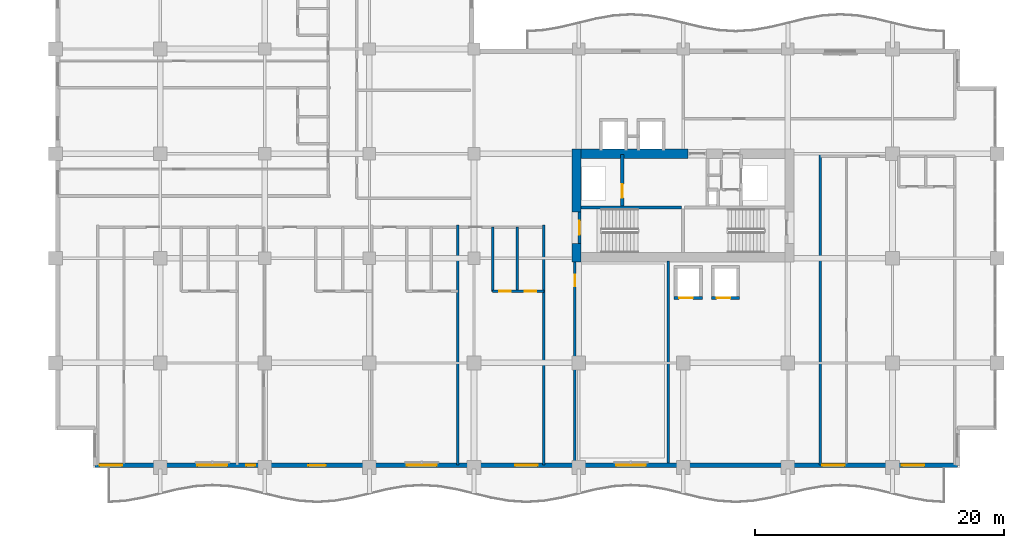
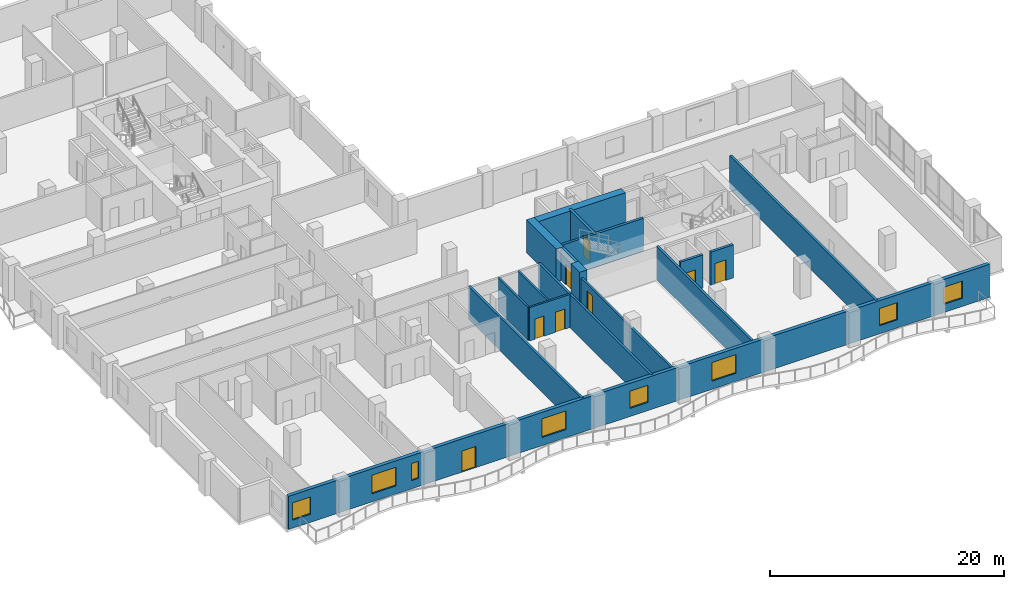
# One storey, part 11 of 22: 17 walls, 8 doors, 8 windows, 16 openings.
"""IFC4 building model written with IfcOpenShell, lengths in metres."""

import ifcopenshell
import ifcopenshell.guid

model = None  # the IFC model being written
_history = None  # IfcOwnerHistory: only IFC2X3 demands one
_inside = {}  # id of a spatial element -> (the spatial element, [elements in it])
_under = {}  # id of a project, library or spatial element -> (it, [spatial elements below it])
_declared = {}  # id of a project -> (the project, [libraries it declares])
_typed = {}  # id of a type object -> (the type object, [elements of that type])
_made_of = {}  # id of a material, layer set ... -> (it, [elements and type objects made of it])


def new_model(schema):
    """Start an empty IFC model of exactly this schema.

    Asked for "IFC4X3", IfcOpenShell would pick the latest addendum, in which some entities
    have other attributes; the version numbers below select the first issue.
    IFC2X3 requires an IfcOwnerHistory on every rooted entity: one is made here for all.
    """
    global model, _history
    if schema == "IFC4X3":
        model = ifcopenshell.file(schema_version=(4, 3, 0, 0))
    else:
        model = ifcopenshell.file(schema=schema)
    _inside.clear()
    _under.clear()
    _declared.clear()
    _typed.clear()
    _made_of.clear()
    _history = None
    if model.schema == "IFC2X3":
        org = make("IfcOrganization", Name="unknown")
        user = make(
            "IfcPersonAndOrganization",
            ThePerson=make("IfcPerson", FamilyName="unknown"),
            TheOrganization=org,
        )
        app = make(
            "IfcApplication",
            ApplicationDeveloper=org,
            Version="unknown",
            ApplicationFullName="unknown",
            ApplicationIdentifier="unknown",
        )
        _history = make(
            "IfcOwnerHistory",
            OwningUser=user,
            OwningApplication=app,
            ChangeAction="ADDED",
            CreationDate=0,
        )
    return model


def make(cls, **values):
    """One entity of the class cls with the attributes given. An attribute that is None is left unset."""
    return model.create_entity(
        cls, **{name: value for name, value in values.items() if value is not None}
    )


def rooted(cls, **values):
    """An entity with a GlobalId (a new one), such as an element, a storey or a relation."""
    return make(cls, GlobalId=ifcopenshell.guid.new(), OwnerHistory=_history, **values)


def si_unit(unit_type, name, prefix=None):
    """IfcSIUnit, for example si_unit("LENGTHUNIT", "METRE", prefix="MILLI")."""
    return make("IfcSIUnit", UnitType=unit_type, Prefix=prefix, Name=name)


def assignment(units):
    """IfcUnitAssignment: the units of a project."""
    return None if units is None else make("IfcUnitAssignment", Units=units)


def point(xyz):
    """IfcCartesianPoint."""
    return None if xyz is None else make("IfcCartesianPoint", Coordinates=xyz)


def direction(xyz):
    """IfcDirection."""
    return None if xyz is None else make("IfcDirection", DirectionRatios=xyz)


def frame(location, z_axis=None, x_axis=None):
    """IfcAxis2Placement3D, a coordinate frame: its origin and axes. An axis left out is left unset."""
    return make(
        "IfcAxis2Placement3D",
        Location=point(location),
        Axis=direction(z_axis),
        RefDirection=direction(x_axis),
    )


def frame_2d(location, x_axis=None):
    """IfcAxis2Placement2D, a coordinate frame in the plane: its origin and x axis."""
    return make(
        "IfcAxis2Placement2D", Location=point(location), RefDirection=direction(x_axis)
    )


def origin():
    """The frame at (0, 0, 0) with its axes left unset."""
    return frame((0.0, 0.0, 0.0))


def place(relative_to, where):
    """IfcLocalPlacement: puts the frame where relative to a parent placement (None: the world)."""
    return make(
        "IfcLocalPlacement", PlacementRelTo=relative_to, RelativePlacement=where
    )


def context(
    kind, dimensions, precision=None, world=None, true_north=None, identifier=None
):
    """IfcGeometricRepresentationContext, for example the 3D "Model" context."""
    return make(
        "IfcGeometricRepresentationContext",
        ContextIdentifier=identifier,
        ContextType=kind,
        CoordinateSpaceDimension=dimensions,
        Precision=precision,
        WorldCoordinateSystem=world,
        TrueNorth=true_north,
    )


def subcontext(parent, identifier, kind, view, scale=None):
    """IfcGeometricRepresentationSubContext, for example "Body" below "Model"."""
    return make(
        "IfcGeometricRepresentationSubContext",
        ContextIdentifier=identifier,
        ContextType=kind,
        ParentContext=parent,
        TargetScale=scale,
        TargetView=view,
    )


def project(units=None, contexts=None):
    """IfcProject with its units and contexts."""
    return rooted(
        "IfcProject",
        Name="project",
        RepresentationContexts=contexts,
        UnitsInContext=assignment(units),
    )


def spatial(cls, under=None, at=None, **own):
    """A site, building, storey or space (cls), placed at a placement, below another one or the project."""
    s = rooted(cls, ObjectPlacement=at, **own)
    if under is not None:
        _under.setdefault(under.id(), (under, []))[1].append(s)
    return s


def profile(cls, at=None, kind="AREA", **sizes):
    """A parametric profile (cls). Its sizes go by their IFC names, for example OverallWidth=200.0."""
    return make(cls, ProfileType=kind, Position=at, **sizes)


def rectangle(**sizes):
    """IfcRectangleProfileDef."""
    return profile("IfcRectangleProfileDef", **sizes)


def extrude(swept, where, along, depth):
    """IfcExtrudedAreaSolid: the profile swept, set in the frame where, extruded along a direction by depth."""
    return make(
        "IfcExtrudedAreaSolid",
        SweptArea=swept,
        Position=where,
        ExtrudedDirection=direction(along),
        Depth=depth,
    )


def shape(context_of_items, identifier, shape_type, items):
    """IfcShapeRepresentation: the items that make up one representation, for example the "Body"."""
    return make(
        "IfcShapeRepresentation",
        ContextOfItems=context_of_items,
        RepresentationIdentifier=identifier,
        RepresentationType=shape_type,
        Items=items,
    )


def material(Name=None, Category=None):
    """IfcMaterial."""
    return make("IfcMaterial", Name=Name, Category=Category)


def layer(
    of_material, thickness, ventilated=None, Name=None, Category=None, Priority=None
):
    """IfcMaterialLayer: one layer of a wall or slab, of a material (None: an air gap)."""
    return make(
        "IfcMaterialLayer",
        Material=of_material,
        LayerThickness=thickness,
        IsVentilated=ventilated,
        Name=Name,
        Category=Category,
        Priority=Priority,
    )


def layer_set(layers, Name=None):
    """IfcMaterialLayerSet."""
    return make("IfcMaterialLayerSet", MaterialLayers=layers, LayerSetName=Name)


def made_of(thing, what):
    """Note that an element or type object is made of a material, layer set ...; save() writes the relation."""
    if what is not None:
        _made_of.setdefault(what.id(), (what, []))[1].append(thing)
    return thing


def type_object(cls, material=None, **own):
    """A type object (cls), such as IfcWallType, which elements share."""
    return made_of(rooted(cls, **own), material)


def element(
    cls,
    number,
    at=None,
    inside=None,
    cuts=None,
    type_object=None,
    material=None,
    context=None,
    identifier="Body",
    shape_type=None,
    held_by="IfcProductDefinitionShape",
    body=None,
    shapes=None,
    **own,
):
    """One element of the class cls, such as IfcWall. Its Tag is "e" and its number.

    at: its placement. inside: the storey or other place that contains it. cuts: it is an
    opening in that element (IfcRelVoidsElement). A single representation is given by context,
    identifier, shape_type and body (its items); several are given by shapes. held_by: the class
    of the entity that holds the representations. save() writes the other relations.
    """
    e = rooted(cls, Tag="e%d" % number, ObjectPlacement=at, **own)
    if body is not None:
        shapes = [shape(context, identifier, shape_type, body)]
    if shapes is not None:
        e.Representation = make(held_by, Representations=shapes)
    if inside is not None:
        _inside.setdefault(inside.id(), (inside, []))[1].append(e)
    if cuts is not None:
        rooted(
            "IfcRelVoidsElement", RelatingBuildingElement=cuts, RelatedOpeningElement=e
        )
    if type_object is not None:
        _typed.setdefault(type_object.id(), (type_object, []))[1].append(e)
    return made_of(e, material)


def fill(opening, filler):
    """IfcRelFillsElement: the door or window that sits in an opening."""
    return rooted(
        "IfcRelFillsElement",
        RelatingOpeningElement=opening,
        RelatedBuildingElement=filler,
    )


def aggregate(whole, parts):
    """IfcRelAggregates: a whole, such as a stair, and the parts it consists of."""
    return rooted("IfcRelAggregates", RelatingObject=whole, RelatedObjects=parts)


def save(model, path):
    """Write the relations noted so far, then the file.

    IfcRelAggregates (storeys below a building ...), IfcRelContainedInSpatialStructure (elements
    in a storey), IfcRelDefinesByType, IfcRelAssociatesMaterial and IfcRelDeclares: one each for
    every whole, place, type object, material and project.
    """
    for whole, parts in _under.values():
        aggregate(whole, parts)
    for where, things in _inside.values():
        rooted(
            "IfcRelContainedInSpatialStructure",
            RelatedElements=things,
            RelatingStructure=where,
        )
    for kind, things in _typed.values():
        rooted("IfcRelDefinesByType", RelatedObjects=things, RelatingType=kind)
    for what, things in _made_of.values():
        rooted("IfcRelAssociatesMaterial", RelatedObjects=things, RelatingMaterial=what)
    for by, libraries in _declared.values():
        rooted("IfcRelDeclares", RelatingContext=by, RelatedDefinitions=libraries)
    model.write(path)


model = new_model("IFC4")

# Units and contexts
model_context = context("Model", 3, precision=1e-05, world=origin(), true_north=direction((0.0, 1.0)))
body_context = subcontext(model_context, "Body", "Model", "MODEL_VIEW")
ifc_project = project(units=[si_unit("LENGTHUNIT", "METRE"), si_unit("AREAUNIT", "SQUARE_METRE"), si_unit("VOLUMEUNIT", "CUBIC_METRE"), si_unit("PLANEANGLEUNIT", "RADIAN"), si_unit("MASSUNIT", "GRAM", prefix="KILO")], contexts=[model_context])

# Site, building, storey
site_placement = place(None, origin())
site = spatial("IfcSite", under=ifc_project, at=site_placement, CompositionType="ELEMENT")
building_placement = place(site_placement, origin())
building = spatial("IfcBuilding", under=site, at=building_placement, Name="Koriwani Terraces Tower", CompositionType="ELEMENT")
storey_placement = place(building_placement, frame((0.0, 0.0, 182.800048828125)))
storey = spatial("IfcBuildingStorey", under=building, at=storey_placement, Name="L44", CompositionType="ELEMENT", Elevation=182.800048828125)

# Walls
ifc_material_1 = material(Name="Concrete C60/75", Category="concrete")
ifc_layer_1 = layer(ifc_material_1, 0.75, Name="Concrete C60/75")
ifc_layer_set_1 = layer_set([ifc_layer_1], Name="Concrete C60/75")
wall_type_1 = type_object("IfcWallType", Name="WALL_CORE_RC_750", PredefinedType="SHEAR", material=ifc_layer_set_1)
wall_1_placement = place(storey_placement, frame((41.824951171875, 16.5, 0.0), z_axis=(0.0, 0.0, 1.0), x_axis=(0.0, 1.0, 0.0)))
element("IfcWall", 1, at=wall_1_placement, inside=storey, type_object=wall_type_1, Name="L44 East Split Core Shear Wall W1", PredefinedType="SHEAR", context=body_context, shape_type="SweptSolid", body=[
    extrude(rectangle(XDim=1.5, YDim=0.75, at=frame_2d((0.75, 0.0))), origin(), (0.0, 0.0, 1.0), 3.469970703125),
])
wall_2_placement = place(storey_placement, frame((41.824951171875, 20.5, 0.0), z_axis=(0.0, 0.0, 1.0), x_axis=(0.0, 1.0, 0.0)))
element("IfcWall", 2, at=wall_2_placement, inside=storey, type_object=wall_type_1, Name="L44 East Split Core Shear Wall W2", PredefinedType="SHEAR", context=body_context, shape_type="SweptSolid", body=[
    extrude(rectangle(XDim=5.074951171875, YDim=0.75, at=frame_2d((2.53759765625, 0.0))), origin(), (0.0, 0.0, 1.0), 3.469970703125),
])
wall_3_placement = place(storey_placement, frame((42.199951171875, 25.199951171875, 0.0), z_axis=(0.0, 0.0, 1.0), x_axis=(1.0, 0.0, 0.0)))
element("IfcWall", 3, at=wall_3_placement, inside=storey, type_object=wall_type_1, Name="L44 East Split Core Shear Wall N1", PredefinedType="SHEAR", context=body_context, shape_type="SweptSolid", body=[
    extrude(rectangle(XDim=8.60009765625, YDim=0.75, at=frame_2d((4.300048828125, 0.0))), origin(), (0.0, 0.0, 1.0), 3.469970703125),
])

# Wall, opening, door
ifc_material_2 = material(Name="Autoclaved Cellular Concrete Blockwork", Category="masonry")
ifc_layer_2 = layer(ifc_material_2, 0.199951171875, Name="Autoclaved Cellular Concrete Blockwork")
ifc_layer_set_2 = layer_set([ifc_layer_2], Name="Autoclaved Cellular Concrete Blockwork")
wall_type_2 = type_object("IfcWallType", Name="WALL_CORRIDOR_200", PredefinedType="PARTITIONING", material=ifc_layer_set_2)
wall_4_placement = place(storey_placement, frame((41.699951171875, 0.35009765625, 0.0), z_axis=(0.0, 0.0, 1.0), x_axis=(0.0, 1.0, 0.0)))
wall_4 = element("IfcWall", 4, at=wall_4_placement, inside=storey, type_object=wall_type_2, Name="L44 Interior Wall WREC-EW-L44", PredefinedType="PARTITIONING", context=body_context, shape_type="SweptSolid", body=[
    extrude(rectangle(XDim=16.25, YDim=0.199951171875, at=frame_2d((8.125, 0.0))), origin(), (0.0, 0.0, 1.0), 2.820068359375),
])
opening_1_placement = place(wall_4_placement, frame((14.199951171875, 0.0, 0.0)))
opening_1 = element("IfcOpeningElement", 5, at=opening_1_placement, cuts=wall_4, Name="Opening D-06", PredefinedType="OPENING", context=body_context, shape_type="SweptSolid", body=[
    extrude(rectangle(XDim=0.919921875, YDim=2.10009765625, at=frame_2d((0.4599609375, 1.050048828125))), frame((0.0, 0.10986328125, 0.0), z_axis=(0.0, -1.0, 0.0), x_axis=(1.0, 0.0, 0.0)), (0.0, 0.0, 1.0), 0.219970703125),
])
ifc_material_3 = material(Name="Architectural Oak Fire Door", Category="wood")
door_type_1 = type_object("IfcDoorType", Name="DOOR_ROOM_INT_920X2100", OperationType="NOTDEFINED", PredefinedType="DOOR", material=ifc_material_3)
door_1_placement = place(opening_1_placement, origin())
door_1 = element("IfcDoor", 6, at=door_1_placement, inside=storey, type_object=door_type_1, Name="L44 Resident Co-Working Study Door", OperationType="SINGLE_SWING_LEFT", OverallHeight=2.10009765625, OverallWidth=0.919921875, PredefinedType="DOOR", context=body_context, shape_type="SweptSolid", body=[
    extrude(rectangle(XDim=0.919921875, YDim=2.10009765625, at=frame_2d((0.4599609375, 1.050048828125))), frame((0.0, 0.02490234375, 0.0), z_axis=(0.0, -1.0, 0.0), x_axis=(1.0, 0.0, 0.0)), (0.0, 0.0, 1.0), 0.050048828125),
])
fill(opening_1, door_1)

# Walls
ifc_layer_3 = layer(ifc_material_2, 0.219970703125, Name="Autoclaved Cellular Concrete Blockwork")
ifc_layer_set_3 = layer_set([ifc_layer_3], Name="Autoclaved Cellular Concrete Blockwork")
wall_type_3 = type_object("IfcWallType", Name="WALL_DEMISING_220", PredefinedType="PARTITIONING", material=ifc_layer_set_3)
wall_5_placement = place(storey_placement, frame((49.199951171875, 0.35009765625, 0.0), z_axis=(0.0, 0.0, 1.0), x_axis=(0.0, 1.0, 0.0)))
element("IfcWall", 7, at=wall_5_placement, inside=storey, type_object=wall_type_3, Name="L44 Interior Wall WREC-EE-L44", PredefinedType="PARTITIONING", context=body_context, shape_type="SweptSolid", body=[
    extrude(rectangle(XDim=16.25, YDim=0.219970703125, at=frame_2d((8.125, 0.0))), origin(), (0.0, 0.0, 1.0), 3.469970703125),
])
for number, where, z_axis, x_axis, name in (
    (8, (32.300048828125, 0.199951171875, 0.0), (0.0, 0.0, 1.0), (0.0, 1.0, 0.0), "L44 Interior Wall WRDEM-L44-SW-3"),
    (9, (39.199951171875, 0.199951171875, 0.0), (0.0, 0.0, 1.0), (0.0, 1.0, 0.0), "L44 Interior Wall WRDEME-L44-SW"),
):
    element("IfcWall", number, at=place(storey_placement, frame(where, z_axis=z_axis, x_axis=x_axis)), inside=storey, type_object=wall_type_3, Name=name, PredefinedType="PARTITIONING", context=body_context, shape_type="SweptSolid", body=[
        extrude(rectangle(XDim=19.280029296875, YDim=0.219970703125, at=frame_2d((9.64013671875, 0.0))), origin(), (0.0, 0.0, 1.0), 3.469970703125),
    ])
wall_6_placement = place(storey_placement, frame((61.39990234375, 0.199951171875, 0.0), z_axis=(0.0, 0.0, 1.0), x_axis=(0.0, 1.0, 0.0)))
element("IfcWall", 10, at=wall_6_placement, inside=storey, type_object=wall_type_3, Name="L44 Interior Wall WRDEM-L44-SE-0", PredefinedType="PARTITIONING", context=body_context, shape_type="SweptSolid", body=[
    extrude(rectangle(XDim=24.97998046875, YDim=0.219970703125, at=frame_2d((12.489990234375, 0.0))), origin(), (0.0, 0.0, 1.0), 3.469970703125),
])

# Wall, openings, door, windows
ifc_material_4 = material(Name="Concrete C50/60", Category="concrete")
ifc_layer_4 = layer(ifc_material_4, 0.35009765625, Name="Concrete C50/60")
ifc_layer_set_4 = layer_set([ifc_layer_4], Name="Concrete C50/60")
wall_type_4 = type_object("IfcWallType", Name="WALL_EXT_BRUTALIST_350", PredefinedType="STANDARD", material=ifc_layer_set_4)
wall_7_placement = place(storey_placement, frame((72.425048828125, 0.175048828125, 0.0), z_axis=(0.0, 0.0, 1.0), x_axis=(-1.0, 0.0, 0.0)))
wall_7 = element("IfcWall", 11, at=wall_7_placement, inside=storey, type_object=wall_type_4, Name="L44 Fair-Faced Brutalist Exterior Wall (S)", PredefinedType="STANDARD", context=body_context, shape_type="SweptSolid", body=[
    extrude(rectangle(XDim=69.25, YDim=0.35009765625, at=frame_2d((34.625, 0.0))), origin(), (0.0, 0.0, 1.0), 3.469970703125),
])
opening_2_placement = place(wall_7_placement, frame((50.72509765625, 0.0, 0.0)))
opening_2 = element("IfcOpeningElement", 12, at=opening_2_placement, cuts=wall_7, Name="Opening D-09", PredefinedType="OPENING", context=body_context, shape_type="SweptSolid", body=[
    extrude(rectangle(XDim=1.39990234375, YDim=2.199951171875, at=frame_2d((0.699951171875, 1.10009765625))), frame((0.0, 0.18505859375, 0.0), z_axis=(0.0, -1.0, 0.0), x_axis=(1.0, 0.0, 0.0)), (0.0, 0.0, 1.0), 0.3701171875),
])
opening_3_placement = place(wall_7_placement, frame((58.625, 0.0, 0.85009765625)))
opening_3 = element("IfcOpeningElement", 13, at=opening_3_placement, cuts=wall_7, Name="Opening W-03", PredefinedType="OPENING", context=body_context, shape_type="SweptSolid", body=[
    extrude(rectangle(XDim=2.39990234375, YDim=1.949951171875, at=frame_2d((1.199951171875, 0.97509765625))), frame((0.0, 0.18505859375, 0.0), z_axis=(0.0, -1.0, 0.0), x_axis=(1.0, 0.0, 0.0)), (0.0, 0.0, 1.0), 0.3701171875),
])
opening_4_placement = place(wall_7_placement, frame((41.824951171875, 0.0, 0.85009765625)))
opening_4 = element("IfcOpeningElement", 14, at=opening_4_placement, cuts=wall_7, Name="Opening W-03", PredefinedType="OPENING", context=body_context, shape_type="SweptSolid", body=[
    extrude(rectangle(XDim=2.39990234375, YDim=1.949951171875, at=frame_2d((1.199951171875, 0.97509765625))), frame((0.0, 0.18505859375, 0.0), z_axis=(0.0, -1.0, 0.0), x_axis=(1.0, 0.0, 0.0)), (0.0, 0.0, 1.0), 0.3701171875),
])
opening_5_placement = place(wall_7_placement, frame((33.72509765625, 0.0, 0.85009765625)))
opening_5 = element("IfcOpeningElement", 15, at=opening_5_placement, cuts=wall_7, Name="Opening W-04", PredefinedType="OPENING", context=body_context, shape_type="SweptSolid", body=[
    extrude(rectangle(XDim=1.800048828125, YDim=1.800048828125, at=frame_2d((0.89990234375, 0.89990234375))), frame((0.0, 0.18505859375, 0.0), z_axis=(0.0, -1.0, 0.0), x_axis=(1.0, 0.0, 0.0)), (0.0, 0.0, 1.0), 0.3701171875),
])
opening_6_placement = place(wall_7_placement, frame((25.02490234375, 0.0, 0.85009765625)))
opening_6 = element("IfcOpeningElement", 16, at=opening_6_placement, cuts=wall_7, Name="Opening W-03", PredefinedType="OPENING", context=body_context, shape_type="SweptSolid", body=[
    extrude(rectangle(XDim=2.39990234375, YDim=1.949951171875, at=frame_2d((1.199951171875, 0.97509765625))), frame((0.0, 0.18505859375, 0.0), z_axis=(0.0, -1.0, 0.0), x_axis=(1.0, 0.0, 0.0)), (0.0, 0.0, 1.0), 0.3701171875),
])
opening_7_placement = place(wall_7_placement, frame((67.074951171875, 0.0, 0.85009765625)))
opening_7 = element("IfcOpeningElement", 17, at=opening_7_placement, cuts=wall_7, Name="Opening W-04", PredefinedType="OPENING", context=body_context, shape_type="SweptSolid", body=[
    extrude(rectangle(XDim=1.800048828125, YDim=1.800048828125, at=frame_2d((0.89990234375, 0.89990234375))), frame((0.0, 0.18505859375, 0.0), z_axis=(0.0, -1.0, 0.0), x_axis=(1.0, 0.0, 0.0)), (0.0, 0.0, 1.0), 0.3701171875),
])
opening_8_placement = place(wall_7_placement, frame((56.389892578125, 0.0, 0.85009765625)))
opening_8 = element("IfcOpeningElement", 18, at=opening_8_placement, cuts=wall_7, Name="Opening W-08", PredefinedType="OPENING", context=body_context, shape_type="SweptSolid", body=[
    extrude(rectangle(XDim=0.719970703125, YDim=1.800048828125, at=frame_2d((0.35986328125, 0.89990234375))), frame((0.0, 0.18505859375, 0.0), z_axis=(0.0, -1.0, 0.0), x_axis=(1.0, 0.0, 0.0)), (0.0, 0.0, 1.0), 0.3701171875),
])
opening_9_placement = place(wall_7_placement, frame((9.074951171875, 0.0, 0.85009765625)))
opening_9 = element("IfcOpeningElement", 19, at=opening_9_placement, cuts=wall_7, Name="Opening W-04", PredefinedType="OPENING", context=body_context, shape_type="SweptSolid", body=[
    extrude(rectangle(XDim=1.800048828125, YDim=1.800048828125, at=frame_2d((0.89990234375, 0.89990234375))), frame((0.0, 0.18505859375, 0.0), z_axis=(0.0, -1.0, 0.0), x_axis=(1.0, 0.0, 0.0)), (0.0, 0.0, 1.0), 0.3701171875),
])
opening_10_placement = place(wall_7_placement, frame((2.675048828125, 0.0, 0.85009765625)))
opening_10 = element("IfcOpeningElement", 20, at=opening_10_placement, cuts=wall_7, Name="Opening W-04", PredefinedType="OPENING", context=body_context, shape_type="SweptSolid", body=[
    extrude(rectangle(XDim=1.800048828125, YDim=1.800048828125, at=frame_2d((0.89990234375, 0.89990234375))), frame((0.0, 0.18505859375, 0.0), z_axis=(0.0, -1.0, 0.0), x_axis=(1.0, 0.0, 0.0)), (0.0, 0.0, 1.0), 0.3701171875),
])
ifc_material_5 = material(Name="Anodised Bronze Aluminium", Category="aluminium")
door_type_2 = type_object("IfcDoorType", Name="DOOR_BALCONY_GLAZED_1400X2200", OperationType="NOTDEFINED", PredefinedType="DOOR", material=ifc_material_5)
door_2_placement = place(opening_2_placement, origin())
door_2 = element("IfcDoor", 21, at=door_2_placement, inside=storey, type_object=door_type_2, Name="L44 South Balcony Glazed Door", OperationType="SINGLE_SWING_LEFT", OverallHeight=2.199951171875, OverallWidth=1.39990234375, PredefinedType="DOOR", context=body_context, shape_type="SweptSolid", body=[
    extrude(rectangle(XDim=1.39990234375, YDim=2.199951171875, at=frame_2d((0.699951171875, 1.10009765625))), frame((0.0, 0.02490234375, 0.0), z_axis=(0.0, -1.0, 0.0), x_axis=(1.0, 0.0, 0.0)), (0.0, 0.0, 1.0), 0.050048828125),
])
fill(opening_2, door_2)
ifc_material_6 = material(Name="Tempered Laminated Low-E Glass", Category="glass")
window_type_1 = type_object("IfcWindowType", Name="WIN_RES_BED_1800X1800", PartitioningType="DOUBLE_PANEL_VERTICAL", PredefinedType="WINDOW", material=ifc_material_6)
window_1_placement = place(opening_5_placement, origin())
window_1 = element("IfcWindow", 22, at=window_1_placement, inside=storey, type_object=window_type_1, Name="L44 Exterior Window (S-12)", OverallHeight=1.800048828125, OverallWidth=1.800048828125, PartitioningType="SINGLE_PANEL", PredefinedType="WINDOW", context=body_context, shape_type="SweptSolid", body=[
    extrude(rectangle(XDim=1.800048828125, YDim=1.800048828125, at=frame_2d((0.89990234375, 0.89990234375))), frame((0.0, 0.030029296875, 0.0), z_axis=(0.0, -1.0, 0.0), x_axis=(1.0, 0.0, 0.0)), (0.0, 0.0, 1.0), 0.06005859375),
])
fill(opening_5, window_1)
window_2_placement = place(opening_7_placement, origin())
window_2 = element("IfcWindow", 23, at=window_2_placement, inside=storey, type_object=window_type_1, Name="L44 Exterior Window (S-R34)", OverallHeight=1.800048828125, OverallWidth=1.800048828125, PartitioningType="SINGLE_PANEL", PredefinedType="WINDOW", context=body_context, shape_type="SweptSolid", body=[
    extrude(rectangle(XDim=1.800048828125, YDim=1.800048828125, at=frame_2d((0.89990234375, 0.89990234375))), frame((0.0, 0.030029296875, 0.0), z_axis=(0.0, -1.0, 0.0), x_axis=(1.0, 0.0, 0.0)), (0.0, 0.0, 1.0), 0.06005859375),
])
fill(opening_7, window_2)
window_3_placement = place(opening_9_placement, origin())
window_3 = element("IfcWindow", 24, at=window_3_placement, inside=storey, type_object=window_type_1, Name="L44 Exterior Window (S-R61)", OverallHeight=1.800048828125, OverallWidth=1.800048828125, PartitioningType="SINGLE_PANEL", PredefinedType="WINDOW", context=body_context, shape_type="SweptSolid", body=[
    extrude(rectangle(XDim=1.800048828125, YDim=1.800048828125, at=frame_2d((0.89990234375, 0.89990234375))), frame((0.0, 0.030029296875, 0.0), z_axis=(0.0, -1.0, 0.0), x_axis=(1.0, 0.0, 0.0)), (0.0, 0.0, 1.0), 0.06005859375),
])
fill(opening_9, window_3)
window_4_placement = place(opening_10_placement, origin())
window_4 = element("IfcWindow", 25, at=window_4_placement, inside=storey, type_object=window_type_1, Name="L44 Exterior Window (S-R62)", OverallHeight=1.800048828125, OverallWidth=1.800048828125, PartitioningType="SINGLE_PANEL", PredefinedType="WINDOW", context=body_context, shape_type="SweptSolid", body=[
    extrude(rectangle(XDim=1.800048828125, YDim=1.800048828125, at=frame_2d((0.89990234375, 0.89990234375))), frame((0.0, 0.030029296875, 0.0), z_axis=(0.0, -1.0, 0.0), x_axis=(1.0, 0.0, 0.0)), (0.0, 0.0, 1.0), 0.06005859375),
])
fill(opening_10, window_4)
window_type_2 = type_object("IfcWindowType", Name="WIN_RES_CASEMENT_1200X1800", PartitioningType="SINGLE_PANEL", PredefinedType="WINDOW", material=ifc_material_6)
window_5_placement = place(opening_8_placement, origin())
window_5 = element("IfcWindow", 26, at=window_5_placement, inside=storey, type_object=window_type_2, Name="L44 Exterior Window (S-R38)", OverallHeight=1.800048828125, OverallWidth=0.719970703125, PartitioningType="SINGLE_PANEL", PredefinedType="WINDOW", context=body_context, shape_type="SweptSolid", body=[
    extrude(rectangle(XDim=0.719970703125, YDim=1.800048828125, at=frame_2d((0.35986328125, 0.89990234375))), frame((0.0, 0.030029296875, 0.0), z_axis=(0.0, -1.0, 0.0), x_axis=(1.0, 0.0, 0.0)), (0.0, 0.0, 1.0), 0.06005859375),
])
fill(opening_8, window_5)
window_type_3 = type_object("IfcWindowType", Name="WIN_RES_LIVING_2400X1950", PartitioningType="DOUBLE_PANEL_VERTICAL", PredefinedType="WINDOW", material=ifc_material_6)
window_6_placement = place(opening_3_placement, origin())
window_6 = element("IfcWindow", 27, at=window_6_placement, inside=storey, type_object=window_type_3, Name="L44 Exterior Window (S-3)", OverallHeight=1.949951171875, OverallWidth=2.39990234375, PartitioningType="SINGLE_PANEL", PredefinedType="WINDOW", context=body_context, shape_type="SweptSolid", body=[
    extrude(rectangle(XDim=2.39990234375, YDim=1.949951171875, at=frame_2d((1.199951171875, 0.97509765625))), frame((0.0, 0.030029296875, 0.0), z_axis=(0.0, -1.0, 0.0), x_axis=(1.0, 0.0, 0.0)), (0.0, 0.0, 1.0), 0.06005859375),
])
fill(opening_3, window_6)
window_7_placement = place(opening_4_placement, origin())
window_7 = element("IfcWindow", 28, at=window_7_placement, inside=storey, type_object=window_type_3, Name="L44 Exterior Window (S-9)", OverallHeight=1.949951171875, OverallWidth=2.39990234375, PartitioningType="SINGLE_PANEL", PredefinedType="WINDOW", context=body_context, shape_type="SweptSolid", body=[
    extrude(rectangle(XDim=2.39990234375, YDim=1.949951171875, at=frame_2d((1.199951171875, 0.97509765625))), frame((0.0, 0.030029296875, 0.0), z_axis=(0.0, -1.0, 0.0), x_axis=(1.0, 0.0, 0.0)), (0.0, 0.0, 1.0), 0.06005859375),
])
fill(opening_4, window_7)
window_8_placement = place(opening_6_placement, origin())
window_8 = element("IfcWindow", 29, at=window_8_placement, inside=storey, type_object=window_type_3, Name="L44 Exterior Window (S-15)", OverallHeight=1.949951171875, OverallWidth=2.39990234375, PartitioningType="SINGLE_PANEL", PredefinedType="WINDOW", context=body_context, shape_type="SweptSolid", body=[
    extrude(rectangle(XDim=2.39990234375, YDim=1.949951171875, at=frame_2d((1.199951171875, 0.97509765625))), frame((0.0, 0.030029296875, 0.0), z_axis=(0.0, -1.0, 0.0), x_axis=(1.0, 0.0, 0.0)), (0.0, 0.0, 1.0), 0.06005859375),
])
fill(opening_6, window_8)

# Wall, openings, doors
ifc_material_7 = material(Name="Fire-Rated Acoustic Gypsum Partition", Category="masonry")
ifc_layer_5 = layer(ifc_material_7, 0.179931640625, Name="Fire-Rated Acoustic Gypsum Partition")
ifc_layer_set_5 = layer_set([ifc_layer_5], Name="Fire-Rated Acoustic Gypsum Partition")
wall_type_5 = type_object("IfcWallType", Name="WALL_PLUMBING_180", PredefinedType="PLUMBINGWALL", material=ifc_layer_set_5)
wall_8_placement = place(storey_placement, frame((35.10009765625, 14.14990234375, 0.0), z_axis=(0.0, 0.0, 1.0), x_axis=(1.0, 0.0, 0.0)))
wall_8 = element("IfcWall", 30, at=wall_8_placement, inside=storey, type_object=wall_type_5, Name="L44 Interior Wall WRSVC-L44-SW-3", PredefinedType="PLUMBINGWALL", context=body_context, shape_type="SweptSolid", body=[
    extrude(rectangle(XDim=4.099853515625, YDim=0.179931640625, at=frame_2d((2.0498046875, 0.0))), origin(), (0.0, 0.0, 1.0), 3.469970703125),
])
opening_11_placement = place(wall_8_placement, frame((0.533935546875, 0.0, 0.0)))
opening_11 = element("IfcOpeningElement", 31, at=opening_11_placement, cuts=wall_8, Name="Opening D-07", PredefinedType="OPENING", context=body_context, shape_type="SweptSolid", body=[
    extrude(rectangle(XDim=0.89990234375, YDim=2.10009765625, at=frame_2d((0.449951171875, 1.050048828125))), frame((0.0, 0.10009765625, 0.0), z_axis=(0.0, -1.0, 0.0), x_axis=(1.0, 0.0, 0.0)), (0.0, 0.0, 1.0), 0.199951171875),
])
opening_12_placement = place(wall_8_placement, frame((2.573974609375, 0.0, 0.0)))
opening_12 = element("IfcOpeningElement", 32, at=opening_12_placement, cuts=wall_8, Name="Opening D-06", PredefinedType="OPENING", context=body_context, shape_type="SweptSolid", body=[
    extrude(rectangle(XDim=0.919921875, YDim=2.10009765625, at=frame_2d((0.4599609375, 1.050048828125))), frame((0.0, 0.10009765625, 0.0), z_axis=(0.0, -1.0, 0.0), x_axis=(1.0, 0.0, 0.0)), (0.0, 0.0, 1.0), 0.199951171875),
])
door_type_3 = type_object("IfcDoorType", Name="DOOR_BATH_INT_900X2100", OperationType="NOTDEFINED", PredefinedType="DOOR", material=ifc_material_3)
door_3_placement = place(opening_11_placement, origin())
door_3 = element("IfcDoor", 33, at=door_3_placement, inside=storey, type_object=door_type_3, Name="Apartment 44SW4 Bathroom Door", OperationType="SINGLE_SWING_RIGHT", OverallHeight=2.10009765625, OverallWidth=0.89990234375, PredefinedType="DOOR", context=body_context, shape_type="SweptSolid", body=[
    extrude(rectangle(XDim=0.89990234375, YDim=2.10009765625, at=frame_2d((0.449951171875, 1.050048828125))), frame((0.0, 0.02490234375, 0.0), z_axis=(0.0, -1.0, 0.0), x_axis=(1.0, 0.0, 0.0)), (0.0, 0.0, 1.0), 0.050048828125),
])
fill(opening_11, door_3)
door_4_placement = place(opening_12_placement, origin())
door_4 = element("IfcDoor", 34, at=door_4_placement, inside=storey, type_object=door_type_1, Name="Apartment 44SW4 Kitchen Door", OperationType="SINGLE_SWING_LEFT", OverallHeight=2.10009765625, OverallWidth=0.919921875, PredefinedType="DOOR", context=body_context, shape_type="SweptSolid", body=[
    extrude(rectangle(XDim=0.919921875, YDim=2.10009765625, at=frame_2d((0.4599609375, 1.050048828125))), frame((0.0, 0.02490234375, 0.0), z_axis=(0.0, -1.0, 0.0), x_axis=(1.0, 0.0, 0.0)), (0.0, 0.0, 1.0), 0.050048828125),
])
fill(opening_12, door_4)

# Walls
for number, where, z_axis, x_axis, name in (
    (35, (35.10009765625, 14.14990234375, 0.0), (0.0, 0.0, 1.0), (0.0, 1.0, 0.0), "L44 Interior Wall WRSVCS-L44-SW-3"),
    (36, (37.068115234375, 14.14990234375, 0.0), (0.0, 0.0, 1.0), (0.0, 1.0, 0.0), "L44 Interior Wall WRSVCM-L44-SW-3"),
):
    element("IfcWall", number, at=place(storey_placement, frame(where, z_axis=z_axis, x_axis=x_axis)), inside=storey, type_object=wall_type_5, Name=name, PredefinedType="PLUMBINGWALL", context=body_context, shape_type="SweptSolid", body=[
        extrude(rectangle(XDim=5.150146484375, YDim=0.179931640625, at=frame_2d((2.5751953125, 0.0))), origin(), (0.0, 0.0, 1.0), 3.469970703125),
    ])
ifc_material_8 = material(Name="Concrete C40/50", Category="concrete")
ifc_layer_6 = layer(ifc_material_8, 0.25, Name="Concrete C40/50")
ifc_layer_set_6 = layer_set([ifc_layer_6], Name="Concrete C40/50")
wall_type_6 = type_object("IfcWallType", Name="WALL_SHAFT_RATED_250", PredefinedType="SOLIDWALL", material=ifc_layer_set_6)
wall_9_placement = place(storey_placement, frame((42.199951171875, 20.875, 0.0), z_axis=(0.0, 0.0, 1.0), x_axis=(1.0, 0.0, 0.0)))
element("IfcWall", 37, at=wall_9_placement, inside=storey, type_object=wall_type_6, Name="L44 East Split Core Web Wall MID1", PredefinedType="SOLIDWALL", context=body_context, shape_type="SweptSolid", body=[
    extrude(rectangle(XDim=8.050048828125, YDim=0.25, at=frame_2d((4.02490234375, 0.0))), origin(), (0.0, 0.0, 1.0), 3.469970703125),
])

# Wall, opening, door
wall_10_placement = place(storey_placement, frame((42.074951171875, 18.0, 0.0), z_axis=(0.0, 0.0, 1.0), x_axis=(0.0, 1.0, 0.0)))
wall_10 = element("IfcWall", 38, at=wall_10_placement, inside=storey, type_object=wall_type_6, Name="L44 Interior Wall WIN-CE-L44-STW", PredefinedType="SOLIDWALL", context=body_context, shape_type="SweptSolid", body=[
    extrude(rectangle(XDim=2.5, YDim=0.25, at=frame_2d((1.25, 0.0))), origin(), (0.0, 0.0, 1.0), 3.469970703125),
])
opening_13_placement = place(wall_10_placement, frame((0.699951171875, 0.0, 0.0)))
opening_13 = element("IfcOpeningElement", 39, at=opening_13_placement, cuts=wall_10, Name="Opening D-03", PredefinedType="OPENING", context=body_context, shape_type="SweptSolid", body=[
    extrude(rectangle(XDim=1.10009765625, YDim=2.14990234375, at=frame_2d((0.550048828125, 1.074951171875))), frame((0.0, 0.135009765625, 0.0), z_axis=(0.0, -1.0, 0.0), x_axis=(1.0, 0.0, 0.0)), (0.0, 0.0, 1.0), 0.27001953125),
])
ifc_material_9 = material(Name="Steel ASTM A572 Grade 50", Category="steel")
door_type_4 = type_object("IfcDoorType", Name="DOOR_STAIR_FIRE_1100X2150", OperationType="NOTDEFINED", PredefinedType="DOOR", material=ifc_material_9)
door_5_placement = place(opening_13_placement, origin())
door_5 = element("IfcDoor", 40, at=door_5_placement, inside=storey, type_object=door_type_4, Name="L44 Exit Stair ST-E1 Door", OperationType="SINGLE_SWING_LEFT", OverallHeight=2.14990234375, OverallWidth=1.10009765625, PredefinedType="DOOR", context=body_context, shape_type="SweptSolid", body=[
    extrude(rectangle(XDim=1.10009765625, YDim=2.14990234375, at=frame_2d((0.550048828125, 1.074951171875))), frame((0.0, 0.02490234375, 0.0), z_axis=(0.0, -1.0, 0.0), x_axis=(1.0, 0.0, 0.0)), (0.0, 0.0, 1.0), 0.050048828125),
])
fill(opening_13, door_5)

wall_11_placement = place(storey_placement, frame((45.5, 21.0, 0.0), z_axis=(0.0, 0.0, 1.0), x_axis=(0.0, 1.0, 0.0)))
wall_11 = element("IfcWall", 41, at=wall_11_placement, inside=storey, type_object=wall_type_6, Name="L44 Interior Wall WIN-CE-L44-FE", PredefinedType="SOLIDWALL", context=body_context, shape_type="SweptSolid", body=[
    extrude(rectangle(XDim=4.14990234375, YDim=0.25, at=frame_2d((2.074951171875, 0.0))), origin(), (0.0, 0.0, 1.0), 3.469970703125),
])
opening_14_placement = place(wall_11_placement, frame((0.64990234375, 0.0, 0.0)))
opening_14 = element("IfcOpeningElement", 42, at=opening_14_placement, cuts=wall_11, Name="Opening LD-01", PredefinedType="OPENING", context=body_context, shape_type="SweptSolid", body=[
    extrude(rectangle(XDim=1.10009765625, YDim=2.14990234375, at=frame_2d((0.550048828125, 1.074951171875))), frame((0.0, 0.135009765625, 0.0), z_axis=(0.0, -1.0, 0.0), x_axis=(1.0, 0.0, 0.0)), (0.0, 0.0, 1.0), 0.27001953125),
])
door_type_5 = type_object("IfcDoorType", Name="DOOR_LIFT_LANDING_1100X2200", OperationType="NOTDEFINED", PredefinedType="DOOR", material=ifc_material_9)
door_6_placement = place(opening_14_placement, origin())
door_6 = element("IfcDoor", 43, at=door_6_placement, inside=storey, type_object=door_type_5, Name="L44 Firefighting Lift FE-02 Landing Door", OperationType="SLIDING_TO_LEFT", OverallHeight=2.14990234375, OverallWidth=1.10009765625, PredefinedType="DOOR", context=body_context, shape_type="SweptSolid", body=[
    extrude(rectangle(XDim=1.10009765625, YDim=2.14990234375, at=frame_2d((0.550048828125, 1.074951171875))), frame((0.0, 0.02490234375, 0.0), z_axis=(0.0, -1.0, 0.0), x_axis=(1.0, 0.0, 0.0)), (0.0, 0.0, 1.0), 0.050048828125),
])
fill(opening_14, door_6)

wall_12_placement = place(storey_placement, frame((49.675048828125, 13.60009765625, 0.0), z_axis=(0.0, 0.0, 1.0), x_axis=(1.0, 0.0, 0.0)))
wall_12 = element("IfcWall", 44, at=wall_12_placement, inside=storey, type_object=wall_type_6, Name="L44 Interior Wall WIN-LF-PE-M3-L44-F", PredefinedType="SOLIDWALL", context=body_context, shape_type="SweptSolid", body=[
    extrude(rectangle(XDim=2.25, YDim=0.25, at=frame_2d((1.125, 0.0))), origin(), (0.0, 0.0, 1.0), 3.469970703125),
])
opening_15_placement = place(wall_12_placement, frame((0.39990234375, 0.0, 0.0)))
opening_15 = element("IfcOpeningElement", 45, at=opening_15_placement, cuts=wall_12, Name="Opening LD-01", PredefinedType="OPENING", context=body_context, shape_type="SweptSolid", body=[
    extrude(rectangle(XDim=1.10009765625, YDim=2.14990234375, at=frame_2d((0.550048828125, 1.074951171875))), frame((0.0, 0.135009765625, 0.0), z_axis=(0.0, -1.0, 0.0), x_axis=(1.0, 0.0, 0.0)), (0.0, 0.0, 1.0), 0.27001953125),
])
door_7_placement = place(opening_15_placement, origin())
door_7 = element("IfcDoor", 46, at=door_7_placement, inside=storey, type_object=door_type_5, Name="L44 Passenger Lift PE-M3 Landing Door", OperationType="SLIDING_TO_LEFT", OverallHeight=2.14990234375, OverallWidth=1.10009765625, PredefinedType="DOOR", context=body_context, shape_type="SweptSolid", body=[
    extrude(rectangle(XDim=1.10009765625, YDim=2.14990234375, at=frame_2d((0.550048828125, 1.074951171875))), frame((0.0, 0.02490234375, 0.0), z_axis=(0.0, -1.0, 0.0), x_axis=(1.0, 0.0, 0.0)), (0.0, 0.0, 1.0), 0.050048828125),
])
fill(opening_15, door_7)

wall_13_placement = place(storey_placement, frame((52.675048828125, 13.60009765625, 0.0), z_axis=(0.0, 0.0, 1.0), x_axis=(1.0, 0.0, 0.0)))
wall_13 = element("IfcWall", 47, at=wall_13_placement, inside=storey, type_object=wall_type_6, Name="L44 Interior Wall WIN-LF-PE-M4-L44-F", PredefinedType="SOLIDWALL", context=body_context, shape_type="SweptSolid", body=[
    extrude(rectangle(XDim=2.25, YDim=0.25, at=frame_2d((1.125, 0.0))), origin(), (0.0, 0.0, 1.0), 3.469970703125),
])
opening_16_placement = place(wall_13_placement, frame((0.39990234375, 0.0, 0.0)))
opening_16 = element("IfcOpeningElement", 48, at=opening_16_placement, cuts=wall_13, Name="Opening LD-01", PredefinedType="OPENING", context=body_context, shape_type="SweptSolid", body=[
    extrude(rectangle(XDim=1.10009765625, YDim=2.14990234375, at=frame_2d((0.550048828125, 1.074951171875))), frame((0.0, 0.135009765625, 0.0), z_axis=(0.0, -1.0, 0.0), x_axis=(1.0, 0.0, 0.0)), (0.0, 0.0, 1.0), 0.27001953125),
])
door_8_placement = place(opening_16_placement, origin())
door_8 = element("IfcDoor", 49, at=door_8_placement, inside=storey, type_object=door_type_5, Name="L44 Passenger Lift PE-M4 Landing Door", OperationType="SLIDING_TO_LEFT", OverallHeight=2.14990234375, OverallWidth=1.10009765625, PredefinedType="DOOR", context=body_context, shape_type="SweptSolid", body=[
    extrude(rectangle(XDim=1.10009765625, YDim=2.14990234375, at=frame_2d((0.550048828125, 1.074951171875))), frame((0.0, 0.02490234375, 0.0), z_axis=(0.0, -1.0, 0.0), x_axis=(1.0, 0.0, 0.0)), (0.0, 0.0, 1.0), 0.050048828125),
])
fill(opening_16, door_8)

save(model, "model.ifc")
